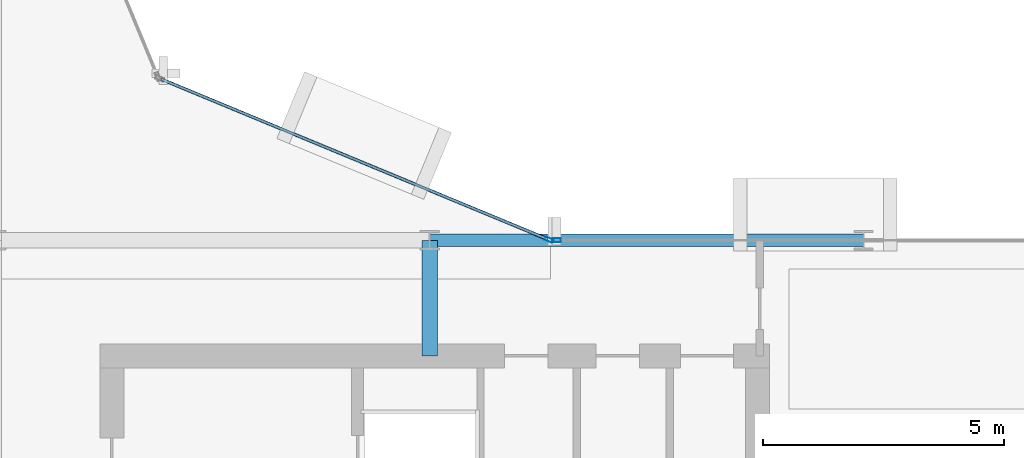
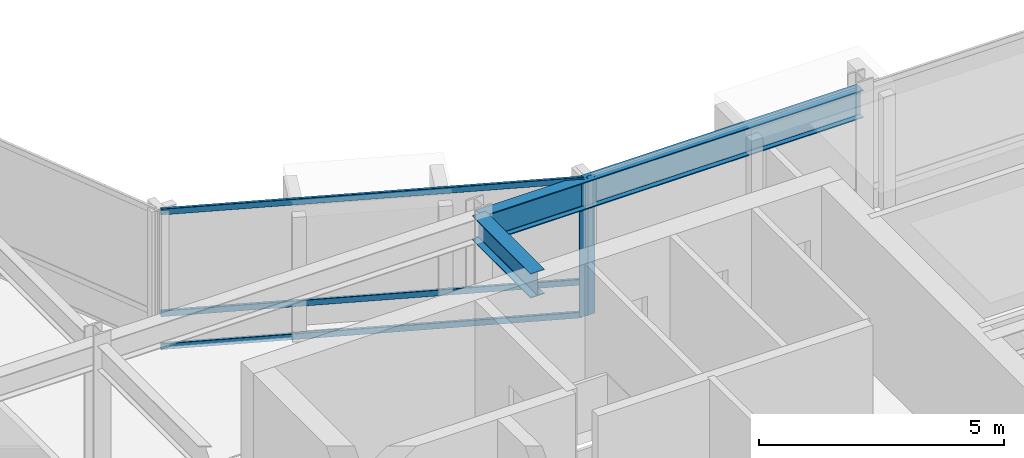
# One storey, part 12 of 28: 5 members, 2 beams, 2 elements without a shape of their own.
"""IFC4 building model written with IfcOpenShell, lengths in metres."""

from ifc_helpers import new_model, si_unit, direction, frame, origin, origin_2d, place, context, subcontext, project, spatial, hollow_rectangle, i_section, extrude, material, layer, layer_set, material_profile, profile_set, type_object, element, aggregate, save


model = new_model("IFC4")

# Units and contexts
model_context = context("Model", 3, precision=1e-05, world=origin(), true_north=direction((0.0, 1.0)))
body_context = subcontext(model_context, "Body", "Model", "MODEL_VIEW")
ifc_project = project(units=[si_unit("LENGTHUNIT", "METRE"), si_unit("AREAUNIT", "SQUARE_METRE"), si_unit("VOLUMEUNIT", "CUBIC_METRE"), si_unit("PLANEANGLEUNIT", "RADIAN"), si_unit("MASSUNIT", "GRAM", prefix="KILO")], contexts=[model_context])

# Site, building, storey
site_placement = place(None, origin())
site = spatial("IfcSite", under=ifc_project, at=site_placement, CompositionType="ELEMENT")
building_placement = place(site_placement, origin())
building = spatial("IfcBuilding", under=site, at=building_placement, Name="Solvaryn Broadcast Tower", CompositionType="ELEMENT")
storey_placement = place(building_placement, frame((0.0, 0.0, 217.300048828125)))
storey = spatial("IfcBuildingStorey", under=building, at=storey_placement, Name="L54", CompositionType="ELEMENT", Elevation=217.300048828125)

# Beams
ifc_material_1 = material(Name="Steel ASTM A992 Grade 50", Category="steel")
ifc_material_profile_1 = material_profile(ifc_material_1, i_section(OverallWidth=0.323974609375, OverallDepth=0.611083984375, WebThickness=0.0126953125, FlangeThickness=0.01904296875, FilletRadius=0.014892578125, at=origin_2d()))
ifc_profile_set_1 = profile_set([ifc_material_profile_1], Name="Steel ASTM A992 Grade 50")
beam_type_1 = type_object("IfcBeamType", Name="BM-B1-W24X104", PredefinedType="BEAM", material=ifc_profile_set_1)
beam_1_placement = place(storey_placement, frame((36.0, 24.60009765625, 3.114501953125), z_axis=(0.0, 1.0, 0.0), x_axis=(-1.0, 0.0, 0.0)))
element("IfcBeam", 1, at=beam_1_placement, inside=storey, type_object=beam_type_1, Name="L54 Core Tie Beam CTE2", PredefinedType="BEAM", context=body_context, shape_type="SweptSolid", body=[
    extrude(i_section(OverallWidth=0.323974609375, OverallDepth=0.611083984375, WebThickness=0.0126953125, FlangeThickness=0.01904296875, FilletRadius=0.014892578125, at=origin_2d()), origin(), (0.0, 0.0, 1.0), 2.39990234375),
])
ifc_material_2 = material(Name="Steel ASTM A992 Grade 50", Category="steel")
ifc_material_profile_2 = material_profile(ifc_material_2, i_section(OverallWidth=0.256103515625, OverallDepth=0.693115234375, WebThickness=0.014404296875, FlangeThickness=0.023681640625, FilletRadius=0.01611328125, at=origin_2d()))
ifc_profile_set_2 = profile_set([ifc_material_profile_2], Name="Steel ASTM A992 Grade 50")
beam_type_2 = type_object("IfcBeamType", Name="BM-SP3-W27X114", PredefinedType="USERDEFINED", material=ifc_profile_set_2)
beam_2_placement = place(storey_placement, frame((36.0, 27.0, 3.073486328125), z_axis=(1.0, 0.0, 0.0), x_axis=(0.0, 1.0, 0.0)))
element("IfcBeam", 2, at=beam_2_placement, inside=storey, type_object=beam_type_2, Name="L54 Spandrel Beam X (36-45 @ Y=27)", ObjectType="SPANDREL", PredefinedType="USERDEFINED", context=body_context, shape_type="SweptSolid", body=[
    extrude(i_section(OverallWidth=0.256103515625, OverallDepth=0.693115234375, WebThickness=0.014404296875, FlangeThickness=0.023681640625, FilletRadius=0.01611328125, at=origin_2d()), origin(), (0.0, 0.0, 1.0), 9.0),
])

# Curtain wall, member
ifc_material_3 = material(Name="Aluminium and Terracotta Unitised Curtain Wall", Category="masonry")
ifc_layer = layer(ifc_material_3, 0.199951171875)
ifc_layer_set = layer_set([ifc_layer], Name="CW-SYS2-LOWMID")
curtain_wall_type = type_object("IfcCurtainWallType", Name="CW-SYS2-LOWMID", PredefinedType="NOTDEFINED", material=ifc_layer_set)
curtain_wall_1_placement = place(storey_placement, origin())
curtain_wall_1 = element("IfcCurtainWall", 3, at=curtain_wall_1_placement, inside=storey, type_object=curtain_wall_type, Name="L54 Curtain Wall CN1", PredefinedType="NOTDEFINED")
ifc_material_4 = material(Name="Anodised Aluminium 6063-T6", Category="aluminium")
ifc_material_profile_3 = material_profile(ifc_material_4, hollow_rectangle(XDim=0.074951171875, YDim=0.179931640625, WallThickness=0.00390625, InnerFilletRadius=0.00390625, OuterFilletRadius=0.008056640625, at=origin_2d()))
ifc_profile_set_3 = profile_set([ifc_material_profile_3], Name="Anodised Aluminium 6063-T6")
member_type_1 = type_object("IfcMemberType", Name="CW-MUL-180", PredefinedType="MULLION", material=ifc_profile_set_3)
member_1_placement = place(storey_placement, frame((38.47216796875, 27.011474609375, 0.0), z_axis=(0.0, 0.0, 1.0), x_axis=(-0.382646127145, -0.923894983957, 0.0)))
member_1 = element("IfcMember", 4, at=member_1_placement, type_object=member_type_1, Name="CWS2 mullion 1", PredefinedType="MULLION", context=body_context, shape_type="SweptSolid", body=[
    extrude(hollow_rectangle(XDim=0.074951171875, YDim=0.179931640625, WallThickness=0.00390625, InnerFilletRadius=0.00390625, OuterFilletRadius=0.008056640625, at=origin_2d()), origin(), (0.0, 0.0, 1.0), 3.419921875),
])

curtain_wall_2_placement = place(storey_placement, origin())
curtain_wall_2 = element("IfcCurtainWall", 5, at=curtain_wall_2_placement, inside=storey, type_object=curtain_wall_type, Name="L54 Curtain Wall IH", PredefinedType="NOTDEFINED")
member_2_placement = place(storey_placement, frame((38.6298828125, 27.0, 0.0), z_axis=(0.0, 0.0, 1.0), x_axis=(0.0, 1.0, 0.0)))
member_2 = element("IfcMember", 6, at=member_2_placement, type_object=member_type_1, Name="CWS2 mullion 1", PredefinedType="MULLION", context=body_context, shape_type="SweptSolid", body=[
    extrude(hollow_rectangle(XDim=0.074951171875, YDim=0.179931640625, WallThickness=0.00390625, InnerFilletRadius=0.00390625, OuterFilletRadius=0.008056640625, at=origin_2d()), origin(), (0.0, 0.0, 1.0), 3.419921875),
])
aggregate(curtain_wall_2, [member_2])

# Member
ifc_material_5 = material(Name="Anodised Aluminium 6063-T6", Category="aluminium")
ifc_material_profile_4 = material_profile(ifc_material_5, hollow_rectangle(XDim=0.06494140625, YDim=0.14990234375, WallThickness=0.00390625, InnerFilletRadius=0.00390625, OuterFilletRadius=0.008056640625, at=origin_2d()))
ifc_profile_set_4 = profile_set([ifc_material_profile_4], Name="Anodised Aluminium 6063-T6")
member_type_2 = type_object("IfcMemberType", Name="CW-TRN-150", PredefinedType="USERDEFINED", material=ifc_profile_set_4)
member_3_placement = place(storey_placement, frame((38.444580078125, 27.02294921875, 0.030029296875), z_axis=(-0.923899282177, 0.382635748975, 0.0), x_axis=(-0.382635748975, -0.923899282177, 0.0)))
member_3 = element("IfcMember", 7, at=member_3_placement, type_object=member_type_2, Name="CWS2 transom 1.1", ObjectType="TRANSOM", PredefinedType="USERDEFINED", context=body_context, shape_type="SweptSolid", body=[
    extrude(hollow_rectangle(XDim=0.06494140625, YDim=0.14990234375, WallThickness=0.00390625, InnerFilletRadius=0.00390625, OuterFilletRadius=0.008056640625, at=origin_2d()), origin(), (0.0, 0.0, 1.0), 8.681884765625),
])

member_4_placement = place(storey_placement, frame((38.444580078125, 27.02294921875, 0.849853515625), z_axis=(-0.923899282177, 0.382635748975, 0.0), x_axis=(-0.382635748975, -0.923899282177, 0.0)))
member_4 = element("IfcMember", 8, at=member_4_placement, type_object=member_type_2, Name="CWS2 transom 1.2", ObjectType="TRANSOM", PredefinedType="USERDEFINED", context=body_context, shape_type="SweptSolid", body=[
    extrude(hollow_rectangle(XDim=0.06494140625, YDim=0.14990234375, WallThickness=0.00390625, InnerFilletRadius=0.00390625, OuterFilletRadius=0.008056640625, at=origin_2d()), origin(), (0.0, 0.0, 1.0), 8.681884765625),
])

member_5_placement = place(storey_placement, frame((38.444580078125, 27.02294921875, 3.389892578125), z_axis=(-0.923899282177, 0.382635748975, 0.0), x_axis=(-0.382635748975, -0.923899282177, 0.0)))
member_5 = element("IfcMember", 9, at=member_5_placement, type_object=member_type_2, Name="CWS2 transom 1.3", ObjectType="TRANSOM", PredefinedType="USERDEFINED", context=body_context, shape_type="SweptSolid", body=[
    extrude(hollow_rectangle(XDim=0.06494140625, YDim=0.14990234375, WallThickness=0.00390625, InnerFilletRadius=0.00390625, OuterFilletRadius=0.008056640625, at=origin_2d()), origin(), (0.0, 0.0, 1.0), 8.681884765625),
])

aggregate(curtain_wall_1, [member_1, member_3, member_4, member_5])

save(model, "model.ifc")
